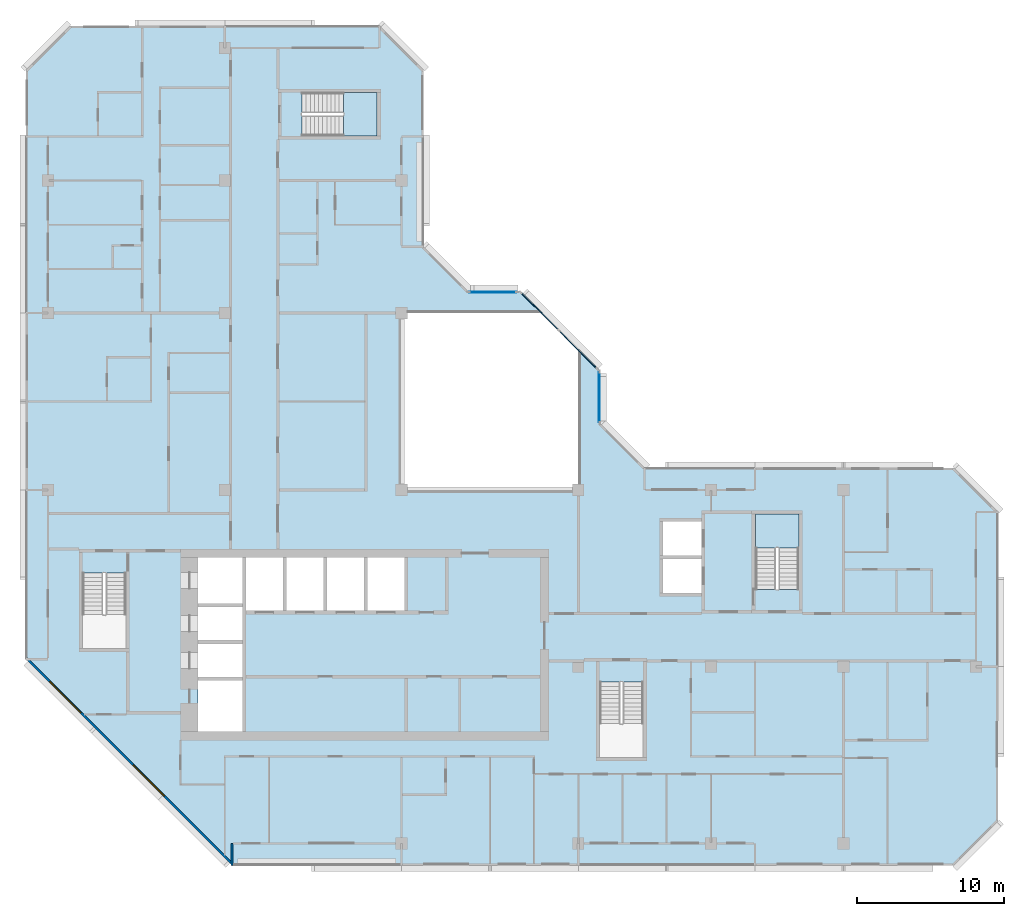
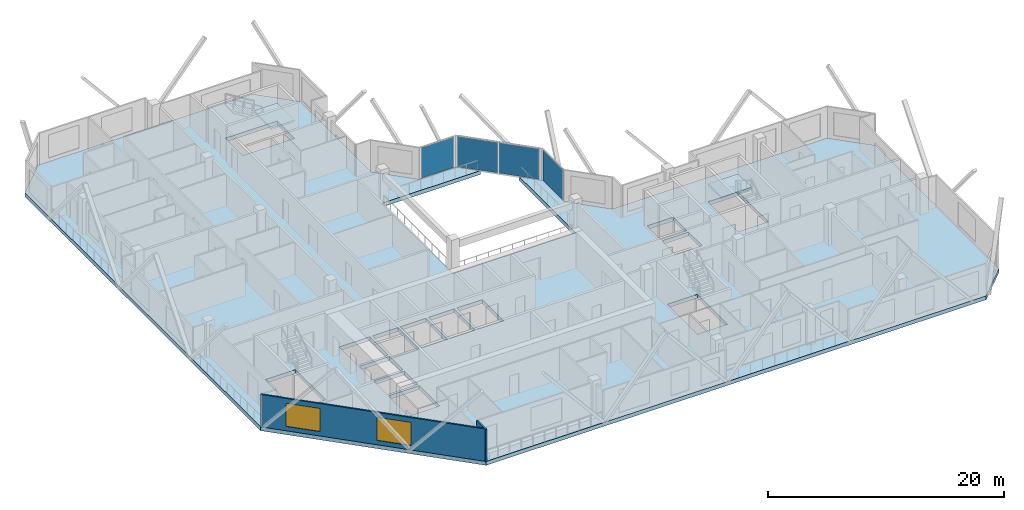
# One storey, part 3 of 13: 4 plates, 3 slabs, 2 walls, 2 windows, 2 openings, 5 elements without a shape of their own.
"""IFC4 building model written with IfcOpenShell, lengths in metres."""

from ifc_helpers import new_model, si_unit, direction, frame, frame_2d, origin, origin_2d, place, context, subcontext, project, spatial, polyline, rectangle, outline, extrude, material, layer, layer_set, type_object, element, fill, aggregate, save


model = new_model("IFC4")

# Units and contexts
model_context = context("Model", 3, precision=1e-05, world=origin(), true_north=direction((0.0, 1.0)))
body_context = subcontext(model_context, "Body", "Model", "MODEL_VIEW")
ifc_project = project(units=[si_unit("LENGTHUNIT", "METRE"), si_unit("AREAUNIT", "SQUARE_METRE"), si_unit("VOLUMEUNIT", "CUBIC_METRE"), si_unit("PLANEANGLEUNIT", "RADIAN"), si_unit("MASSUNIT", "GRAM", prefix="KILO")], contexts=[model_context])

# Site, building, storey
site_placement = place(None, origin())
site = spatial("IfcSite", under=ifc_project, at=site_placement, CompositionType="ELEMENT")
building_placement = place(site_placement, origin())
building = spatial("IfcBuilding", under=site, at=building_placement, Name="Chenar Terraces", CompositionType="ELEMENT")
storey_placement = place(building_placement, frame((0.0, 0.0, 295.89990234375)))
storey = spatial("IfcBuildingStorey", under=building, at=storey_placement, Name="L69", CompositionType="ELEMENT", Elevation=295.89990234375)

# Curtain wall, plate
ifc_material_1 = material(Name="Aluminium framed glazing", Category="aluminium")
ifc_layer_1 = layer(ifc_material_1, 0.14990234375)
ifc_layer_set_1 = layer_set([ifc_layer_1], Name="Aluminium framed glazing")
curtain_wall_type = type_object("IfcCurtainWallType", Name="Atrium upper-zone curtain wall", PredefinedType="NOTDEFINED", material=ifc_layer_set_1)
placement_1 = place(storey_placement, origin())
curtain_wall_1 = element("IfcCurtainWall", 1, at=placement_1, inside=storey, type_object=curtain_wall_type, Name="Atrium upper-zone curtain wall", PredefinedType="NOTDEFINED")
ifc_material_2 = material(Name="Low emissivity laminated glass, solar control coating", Category="glass")
ifc_layer_2 = layer(ifc_material_2, 0.050048828125)
ifc_layer_set_2 = layer_set([ifc_layer_2], Name="Low emissivity laminated glass, solar control coating")
plate_type = type_object("IfcPlateType", Name="Atrium upper-zone glazing panel 50", PredefinedType="CURTAIN_PANEL", material=ifc_layer_set_2)
plate_1_placement = place(storey_placement, frame((37.425048828125, 30.300048828125, 0.10009765625), z_axis=(0.0, 0.0, 1.0), x_axis=(0.0, 1.0, 0.0)))
plate_1 = element("IfcPlate", 2, at=plate_1_placement, type_object=plate_type, Name="CW8-1 panel 1.1", PredefinedType="CURTAIN_PANEL", context=body_context, shape_type="SweptSolid", body=[
    extrude(rectangle(XDim=3.39990234375, YDim=0.050048828125, at=origin_2d()), origin(), (0.0, 0.0, 1.0), 3.14990234375),
])
aggregate(curtain_wall_1, [plate_1])

# Curtain wall, plates
curtain_wall_2 = element("IfcCurtainWall", 3, at=placement_1, inside=storey, type_object=curtain_wall_type, Name="Atrium upper-zone curtain wall", PredefinedType="NOTDEFINED")
plate_2_placement = place(storey_placement, frame((35.97314453125, 33.520751953125, 0.10009765625), z_axis=(0.0, 0.0, 1.0), x_axis=(-0.707106781187, 0.707106781187, 0.0)))
plate_2 = element("IfcPlate", 4, at=plate_2_placement, type_object=plate_type, Name="CW8-2 panel 1.1", PredefinedType="CURTAIN_PANEL", context=body_context, shape_type="SweptSolid", body=[
    extrude(rectangle(XDim=3.568359375, YDim=0.050048828125, at=origin_2d()), origin(), (0.0, 0.0, 1.0), 3.14990234375),
])
plate_3_placement = place(storey_placement, frame((33.379150390625, 36.11474609375, 0.10009765625), z_axis=(0.0, 0.0, 1.0), x_axis=(-0.707106781187, 0.707106781187, 0.0)))
plate_3 = element("IfcPlate", 5, at=plate_3_placement, type_object=plate_type, Name="CW8-2 panel 2.1", PredefinedType="CURTAIN_PANEL", context=body_context, shape_type="SweptSolid", body=[
    extrude(rectangle(XDim=3.568359375, YDim=0.050048828125, at=origin_2d()), origin(), (0.0, 0.0, 1.0), 3.14990234375),
])
aggregate(curtain_wall_2, [plate_2, plate_3])

# Curtain wall, plate
curtain_wall_3 = element("IfcCurtainWall", 6, at=placement_1, inside=storey, type_object=curtain_wall_type, Name="Atrium upper-zone curtain wall", PredefinedType="NOTDEFINED")
plate_4_placement = place(storey_placement, frame((30.199951171875, 37.425048828125, 0.10009765625), z_axis=(0.0, 0.0, 1.0), x_axis=(-1.0, 0.0, 0.0)))
plate_4 = element("IfcPlate", 7, at=plate_4_placement, type_object=plate_type, Name="CW8-3 panel 1.1", PredefinedType="CURTAIN_PANEL", context=body_context, shape_type="SweptSolid", body=[
    extrude(rectangle(XDim=3.199951171875, YDim=0.050048828125, at=origin_2d()), origin(), (0.0, 0.0, 1.0), 3.14990234375),
])
aggregate(curtain_wall_3, [plate_4])

# Stair, slab
ifc_material_3 = material(Name="Reinforced concrete C40/50", Category="concrete")
stair_type = type_object("IfcStairType", Name="Core stair 1400 half-turn", PredefinedType="HALF_TURN_STAIR", material=ifc_material_3)
stair_1 = element("IfcStair", 8, at=placement_1, inside=storey, type_object=stair_type, Name="L69 Stair 3", PredefinedType="HALF_TURN_STAIR")
ifc_material_4 = material(Name="Reinforced concrete C40/50", Category="concrete")
ifc_layer_3 = layer(ifc_material_4, 0.199951171875)
ifc_layer_set_3 = layer_set([ifc_layer_3], Name="Reinforced concrete C40/50")
slab_type_1 = type_object("IfcSlabType", Name="Core stair landing 200", PredefinedType="LANDING", material=ifc_layer_set_3)
placement_2 = place(storey_placement, frame((0.0, 0.0, 1.675048828125)))
slab_1 = element("IfcSlab", 9, at=placement_2, type_object=slab_type_1, Name="ST3 landing 1", PredefinedType="LANDING", context=body_context, shape_type="SweptSolid", body=[
    extrude(outline(polyline([(50.97509765625, 20.050048828125), (50.97509765625, 22.35009765625), (48.02490234375, 22.35009765625), (48.02490234375, 20.050048828125), (50.97509765625, 20.050048828125)])), origin(), (0.0, 0.0, 1.0), 0.199951171875),
])
aggregate(stair_1, [slab_1])

stair_2 = element("IfcStair", 10, at=placement_1, inside=storey, type_object=stair_type, Name="L69 Stair 4", PredefinedType="HALF_TURN_STAIR")
slab_2 = element("IfcSlab", 11, at=placement_2, type_object=slab_type_1, Name="ST4 landing 1", PredefinedType="LANDING", context=body_context, shape_type="SweptSolid", body=[
    extrude(outline(polyline([(20.050048828125, 48.02490234375), (22.35009765625, 48.02490234375), (22.35009765625, 50.97509765625), (20.050048828125, 50.97509765625), (20.050048828125, 48.02490234375)])), origin(), (0.0, 0.0, 1.0), 0.199951171875),
])
aggregate(stair_2, [slab_2])

# Slab
ifc_material_5 = material(Name="Concrete C40/50", Category="concrete")
ifc_layer_4 = layer(ifc_material_5, 0.39990234375)
ifc_layer_set_4 = layer_set([ifc_layer_4], Name="Concrete C40/50")
slab_type_2 = type_object("IfcSlabType", Name="Floor slab 400 Concrete C40/50", PredefinedType="FLOOR", material=ifc_layer_set_4)
slab_3_placement = place(storey_placement, frame((0.0, 0.0, -0.39990234375)))
element("IfcSlab", 12, at=slab_3_placement, inside=storey, type_object=slab_type_2, Name="Floor slab L69", PredefinedType="FLOOR", context=body_context, shape_type="SweptSolid", body=[
    extrude(outline(polyline([(64.5, 22.5), (64.5, 1.5), (61.5, -1.5), (12.5, -1.5), (-1.5, 12.5), (-1.5, 52.5), (1.5, 55.5), (22.5, 55.5), (25.5, 52.5), (25.5, 40.5), (28.5, 37.5), (32.10009765625, 37.5), (33.60009765625, 36.0), (24.0, 36.0), (24.0, 24.0), (36.0, 24.0), (36.0, 33.60009765625), (37.5, 32.10009765625), (37.5, 28.5), (40.5, 25.5), (61.5, 25.5), (64.5, 22.5)]), holes=[polyline([(10.199951171875, 11.050048828125), (10.199951171875, 7.60009765625), (13.199951171875, 7.60009765625), (13.199951171875, 11.050048828125), (10.199951171875, 11.050048828125)]), polyline([(13.199951171875, 13.550048828125), (10.199951171875, 13.550048828125), (10.199951171875, 11.300048828125), (13.199951171875, 11.300048828125), (13.199951171875, 13.550048828125)]), polyline([(13.199951171875, 16.050048828125), (10.199951171875, 16.050048828125), (10.199951171875, 13.800048828125), (13.199951171875, 13.800048828125), (13.199951171875, 16.050048828125)]), polyline([(2.35009765625, 13.25), (5.300048828125, 13.25), (5.300048828125, 18.35009765625), (2.35009765625, 18.35009765625), (2.35009765625, 13.25)]), polyline([(15.949951171875, 19.39990234375), (13.449951171875, 19.39990234375), (13.449951171875, 15.800048828125), (15.949951171875, 15.800048828125), (15.949951171875, 19.39990234375)]), polyline([(18.699951171875, 19.39990234375), (16.199951171875, 19.39990234375), (16.199951171875, 15.800048828125), (18.699951171875, 15.800048828125), (18.699951171875, 19.39990234375)]), polyline([(13.199951171875, 19.39990234375), (10.199951171875, 19.39990234375), (10.199951171875, 16.300048828125), (13.199951171875, 16.300048828125), (13.199951171875, 19.39990234375)]), polyline([(22.35009765625, 48.02490234375), (22.35009765625, 50.97509765625), (17.25, 50.97509765625), (17.25, 48.02490234375), (22.35009765625, 48.02490234375)]), polyline([(37.449951171875, 5.85009765625), (40.39990234375, 5.85009765625), (40.39990234375, 10.949951171875), (37.449951171875, 10.949951171875), (37.449951171875, 5.85009765625)]), polyline([(21.449951171875, 19.39990234375), (18.949951171875, 19.39990234375), (18.949951171875, 15.800048828125), (21.449951171875, 15.800048828125), (21.449951171875, 19.39990234375)]), polyline([(24.199951171875, 19.39990234375), (21.699951171875, 19.39990234375), (21.699951171875, 15.800048828125), (24.199951171875, 15.800048828125), (24.199951171875, 19.39990234375)]), polyline([(44.35009765625, 19.300048828125), (41.75, 19.300048828125), (41.75, 17.0), (44.35009765625, 17.0), (44.35009765625, 19.300048828125)]), polyline([(50.97509765625, 22.35009765625), (48.02490234375, 22.35009765625), (48.02490234375, 17.25), (50.97509765625, 17.25), (50.97509765625, 22.35009765625)]), polyline([(44.35009765625, 21.85009765625), (41.75, 21.85009765625), (41.75, 19.550048828125), (44.35009765625, 19.550048828125), (44.35009765625, 21.85009765625)])]), origin(), (0.0, 0.0, 1.0), 0.39990234375),
])

# Wall
ifc_material_6 = material(Name="Terracotta cladding on insulated backing", Category="masonry")
ifc_layer_5 = layer(ifc_material_6, 0.14990234375)
ifc_layer_set_5 = layer_set([ifc_layer_5], Name="Terracotta cladding on insulated backing")
wall_type_1 = type_object("IfcWallType", Name="Loggia return wall 150", PredefinedType="SOLIDWALL", material=ifc_layer_set_5)
wall_1_placement = place(storey_placement, frame((12.5, -1.5, 0.0), z_axis=(0.0, 0.0, 1.0), x_axis=(0.0, 1.0, 0.0)))
element("IfcWall", 13, at=wall_1_placement, inside=storey, type_object=wall_type_1, Name="Loggia return wall", PredefinedType="SOLIDWALL", context=body_context, shape_type="SweptSolid", body=[
    extrude(rectangle(XDim=1.5, YDim=0.14990234375, at=frame_2d((0.75, 0.0))), origin(), (0.0, 0.0, 1.0), 3.35009765625),
])

# Wall, openings, windows
ifc_material_7 = material(Name="Terracotta cladding on insulated backing", Category="masonry")
ifc_layer_6 = layer(ifc_material_7, 0.14990234375)
ifc_layer_set_6 = layer_set([ifc_layer_6], Name="Terracotta cladding on insulated backing")
wall_type_2 = type_object("IfcWallType", Name="Terracotta rainscreen wall 150", PredefinedType="SOLIDWALL", material=ifc_layer_set_6)
wall_2_placement = place(storey_placement, frame((-1.447021484375, 12.552978515625, 0.0), z_axis=(0.0, 0.0, 1.0), x_axis=(0.707106781187, -0.707106781187, 0.0)))
wall_2 = element("IfcWall", 14, at=wall_2_placement, inside=storey, type_object=wall_type_2, Name="Terracotta rainscreen wall", PredefinedType="SOLIDWALL", context=body_context, shape_type="SweptSolid", body=[
    extrude(rectangle(XDim=19.799072265625, YDim=0.14990234375, at=frame_2d((9.8994140625, 0.0))), origin(), (0.0, 0.0, 1.0), 3.35009765625),
])
opening_1_placement = place(wall_2_placement, frame((2.21240234375, 0.0, 0.449951171875)))
opening_1 = element("IfcOpeningElement", 15, at=opening_1_placement, cuts=wall_2, Name="Opening W300x240", PredefinedType="OPENING", context=body_context, shape_type="SweptSolid", body=[
    extrude(rectangle(XDim=3.0, YDim=2.39990234375, at=frame_2d((1.5, 1.199951171875))), frame((0.0, 0.0849609375, 0.0), z_axis=(0.0, -1.0, 0.0), x_axis=(1.0, 0.0, 0.0)), (0.0, 0.0, 1.0), 0.169921875),
])
opening_2_placement = place(wall_2_placement, frame((10.215576171875, 0.0, 0.449951171875)))
opening_2 = element("IfcOpeningElement", 16, at=opening_2_placement, cuts=wall_2, Name="Opening W300x240", PredefinedType="OPENING", context=body_context, shape_type="SweptSolid", body=[
    extrude(rectangle(XDim=3.0, YDim=2.39990234375, at=frame_2d((1.5, 1.199951171875))), frame((0.0, 0.0849609375, 0.0), z_axis=(0.0, -1.0, 0.0), x_axis=(1.0, 0.0, 0.0)), (0.0, 0.0, 1.0), 0.169921875),
])
ifc_material_8 = material(Name="Low emissivity double glazing, aluminium frame", Category="aluminium")
window_type = type_object("IfcWindowType", Name="Fixed light 3000 x 2400", PartitioningType="SINGLE_PANEL", PredefinedType="WINDOW", material=ifc_material_8)
window_1_placement = place(opening_1_placement, origin())
window_1 = element("IfcWindow", 17, at=window_1_placement, inside=storey, type_object=window_type, Name="Window", OverallHeight=2.39990234375, OverallWidth=3.0, PartitioningType="SINGLE_PANEL", PredefinedType="WINDOW", context=body_context, shape_type="SweptSolid", body=[
    extrude(rectangle(XDim=3.0, YDim=2.39990234375, at=frame_2d((1.5, 1.199951171875))), frame((0.0, 0.030029296875, 0.0), z_axis=(0.0, -1.0, 0.0), x_axis=(1.0, 0.0, 0.0)), (0.0, 0.0, 1.0), 0.06005859375),
])
fill(opening_1, window_1)
window_2_placement = place(opening_2_placement, origin())
window_2 = element("IfcWindow", 18, at=window_2_placement, inside=storey, type_object=window_type, Name="Window", OverallHeight=2.39990234375, OverallWidth=3.0, PartitioningType="SINGLE_PANEL", PredefinedType="WINDOW", context=body_context, shape_type="SweptSolid", body=[
    extrude(rectangle(XDim=3.0, YDim=2.39990234375, at=frame_2d((1.5, 1.199951171875))), frame((0.0, 0.030029296875, 0.0), z_axis=(0.0, -1.0, 0.0), x_axis=(1.0, 0.0, 0.0)), (0.0, 0.0, 1.0), 0.06005859375),
])
fill(opening_2, window_2)

save(model, "model.ifc")
